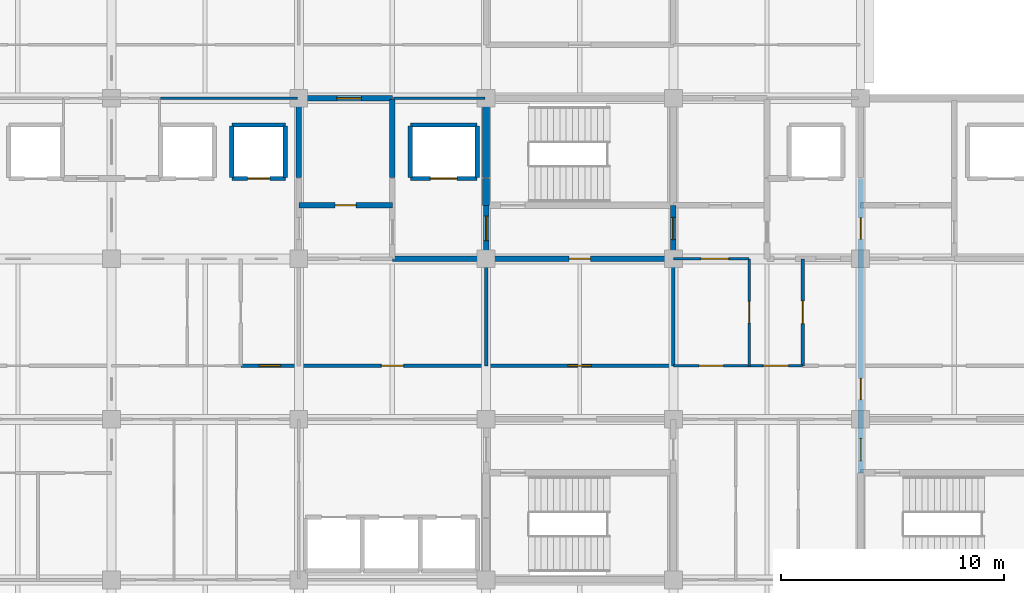
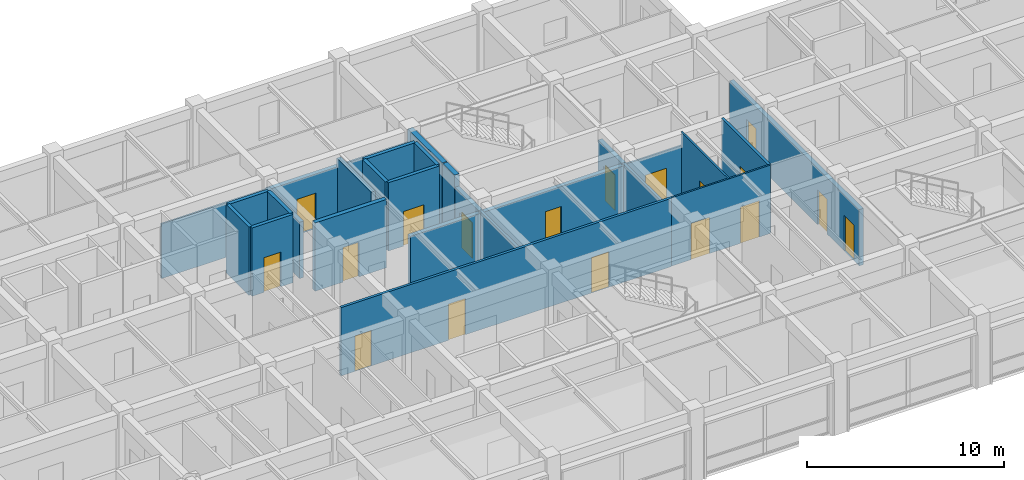
# One storey, part 23 of 30: 27 walls, 18 doors, 18 openings.
"""IFC4 building model written with IfcOpenShell, lengths in metres."""

from ifc_helpers import new_model, si_unit, direction, frame, frame_2d, origin, place, context, subcontext, project, spatial, rectangle, extrude, material, layer, layer_set, type_object, element, fill, save


model = new_model("IFC4")

# Units and contexts
model_context = context("Model", 3, precision=1e-05, world=origin(), true_north=direction((0.0, 1.0)))
body_context = subcontext(model_context, "Body", "Model", "MODEL_VIEW")
ifc_project = project(units=[si_unit("LENGTHUNIT", "METRE"), si_unit("AREAUNIT", "SQUARE_METRE"), si_unit("VOLUMEUNIT", "CUBIC_METRE"), si_unit("PLANEANGLEUNIT", "RADIAN"), si_unit("MASSUNIT", "GRAM", prefix="KILO")], contexts=[model_context])

# Site, building, storey
site_placement = place(None, origin())
site = spatial("IfcSite", under=ifc_project, at=site_placement, CompositionType="ELEMENT")
building_placement = place(site_placement, origin())
building = spatial("IfcBuilding", under=site, at=building_placement, Name="Chengyuan Square Courthouse", CompositionType="ELEMENT")
storey_placement = place(building_placement, frame((0.0, 0.0, 30.60009765625)))
storey = spatial("IfcBuildingStorey", under=building, at=storey_placement, Name="L07", CompositionType="ELEMENT", Elevation=30.60009765625)

# Wall, opening, door
ifc_material_1 = material(Name="Concrete C40", Category="concrete")
ifc_layer_1 = layer(ifc_material_1, 0.25)
ifc_layer_set_1 = layer_set([ifc_layer_1], Name="Concrete C40")
wall_type_1 = type_object("IfcWallType", Name="WL-FW1", PredefinedType="STANDARD", material=ifc_layer_set_1)
wall_1_placement = place(storey_placement, frame((96.60009765625, 100.800048828125, 0.0), z_axis=(0.0, 0.0, 1.0), x_axis=(1.0, 0.0, 0.0)))
wall_1 = element("IfcWall", 1, at=wall_1_placement, inside=storey, type_object=wall_type_1, Name="Interior Wall WL-L07-I2678", PredefinedType="STANDARD", context=body_context, shape_type="SweptSolid", body=[
    extrude(rectangle(XDim=12.599853515625, YDim=0.25, at=frame_2d((6.2998046875, 0.0))), origin(), (0.0, 0.0, 1.0), 3.389892578125),
])
opening_1_placement = place(wall_1_placement, frame((7.925048828125, 0.0, 0.0)))
opening_1 = element("IfcOpeningElement", 2, at=opening_1_placement, cuts=wall_1, Name="Opening DR-2314", PredefinedType="OPENING", context=body_context, shape_type="SweptSolid", body=[
    extrude(rectangle(XDim=0.949951171875, YDim=2.14990234375, at=frame_2d((0.47509765625, 1.074951171875))), frame((0.0, 0.136962890625, 0.0), z_axis=(0.0, -1.0, 0.0), x_axis=(1.0, 0.0, 0.0)), (0.0, 0.0, 1.0), 0.27392578125),
])
ifc_material_2 = material(Name="Steel Q235B Fire Door", Category="steel")
door_type_1 = type_object("IfcDoorType", Name="DT-12", OperationType="NOTDEFINED", PredefinedType="DOOR", material=ifc_material_2)
door_1_placement = place(opening_1_placement, origin())
door_1 = element("IfcDoor", 3, at=door_1_placement, inside=storey, type_object=door_type_1, Name="Interior Door DR-2314", OperationType="SINGLE_SWING_LEFT", OverallHeight=2.14990234375, OverallWidth=0.949951171875, PredefinedType="DOOR", context=body_context, shape_type="SweptSolid", body=[
    extrude(rectangle(XDim=0.949951171875, YDim=2.14990234375, at=frame_2d((0.47509765625, 1.074951171875))), frame((0.0, 0.02490234375, 0.0), z_axis=(0.0, -1.0, 0.0), x_axis=(1.0, 0.0, 0.0)), (0.0, 0.0, 1.0), 0.050048828125),
])
fill(opening_1, door_1)

wall_2_placement = place(storey_placement, frame((92.39990234375, 103.199951171875, 0.0), z_axis=(0.0, 0.0, 1.0), x_axis=(1.0, 0.0, 0.0)))
wall_2 = element("IfcWall", 4, at=wall_2_placement, inside=storey, type_object=wall_type_1, Name="Interior Wall WL-L07-I2691", PredefinedType="STANDARD", context=body_context, shape_type="SweptSolid", body=[
    extrude(rectangle(XDim=4.2001953125, YDim=0.25, at=frame_2d((2.10009765625, 0.0))), origin(), (0.0, 0.0, 1.0), 4.239990234375),
])
opening_2_placement = place(wall_2_placement, frame((1.625, 0.0, 0.0)))
opening_2 = element("IfcOpeningElement", 5, at=opening_2_placement, cuts=wall_2, Name="Opening DR-2332", PredefinedType="OPENING", context=body_context, shape_type="SweptSolid", body=[
    extrude(rectangle(XDim=0.949951171875, YDim=2.14990234375, at=frame_2d((0.47509765625, 1.074951171875))), frame((0.0, 0.136962890625, 0.0), z_axis=(0.0, -1.0, 0.0), x_axis=(1.0, 0.0, 0.0)), (0.0, 0.0, 1.0), 0.27392578125),
])
door_2_placement = place(opening_2_placement, origin())
door_2 = element("IfcDoor", 6, at=door_2_placement, inside=storey, type_object=door_type_1, Name="Interior Door DR-2332", OperationType="SINGLE_SWING_LEFT", OverallHeight=2.14990234375, OverallWidth=0.949951171875, PredefinedType="DOOR", context=body_context, shape_type="SweptSolid", body=[
    extrude(rectangle(XDim=0.949951171875, YDim=2.14990234375, at=frame_2d((0.47509765625, 1.074951171875))), frame((0.0, 0.02490234375, 0.0), z_axis=(0.0, -1.0, 0.0), x_axis=(1.0, 0.0, 0.0)), (0.0, 0.0, 1.0), 0.050048828125),
])
fill(opening_2, door_2)

wall_3_placement = place(storey_placement, frame((92.39990234375, 108.0, 0.0), z_axis=(0.0, 0.0, 1.0), x_axis=(1.0, 0.0, 0.0)))
wall_3 = element("IfcWall", 7, at=wall_3_placement, inside=storey, type_object=wall_type_1, Name="Interior Wall WL-L07-I2727", PredefinedType="STANDARD", context=body_context, shape_type="SweptSolid", body=[
    extrude(rectangle(XDim=4.2001953125, YDim=0.25, at=frame_2d((2.10009765625, 0.0))), origin(), (0.0, 0.0, 1.0), 3.389892578125),
])
opening_3_placement = place(wall_3_placement, frame((1.7099609375, 0.0, 0.0)))
opening_3 = element("IfcOpeningElement", 8, at=opening_3_placement, cuts=wall_3, Name="Opening DR-2336", PredefinedType="OPENING", context=body_context, shape_type="SweptSolid", body=[
    extrude(rectangle(XDim=1.10009765625, YDim=2.199951171875, at=frame_2d((0.550048828125, 1.10009765625))), frame((0.0, 0.136962890625, 0.0), z_axis=(0.0, -1.0, 0.0), x_axis=(1.0, 0.0, 0.0)), (0.0, 0.0, 1.0), 0.27392578125),
])
door_type_2 = type_object("IfcDoorType", Name="DT-10", OperationType="NOTDEFINED", PredefinedType="DOOR", material=ifc_material_2)
door_3_placement = place(opening_3_placement, origin())
door_3 = element("IfcDoor", 9, at=door_3_placement, inside=storey, type_object=door_type_2, Name="Interior Door DR-2336", OperationType="SINGLE_SWING_LEFT", OverallHeight=2.199951171875, OverallWidth=1.10009765625, PredefinedType="DOOR", context=body_context, shape_type="SweptSolid", body=[
    extrude(rectangle(XDim=1.10009765625, YDim=2.199951171875, at=frame_2d((0.550048828125, 1.10009765625))), frame((0.0, 0.02490234375, 0.0), z_axis=(0.0, -1.0, 0.0), x_axis=(1.0, 0.0, 0.0)), (0.0, 0.0, 1.0), 0.050048828125),
])
fill(opening_3, door_3)

# Walls
wall_4_placement = place(storey_placement, frame((92.39990234375, 104.449951171875, 0.0), z_axis=(0.0, 0.0, 1.0), x_axis=(0.0, 1.0, 0.0)))
element("IfcWall", 10, at=wall_4_placement, inside=storey, type_object=wall_type_1, Name="Interior Wall WL-L07-I2818", PredefinedType="STANDARD", context=body_context, shape_type="SweptSolid", body=[
    extrude(rectangle(XDim=3.5, YDim=0.25, at=frame_2d((1.75, 0.0))), origin(), (0.0, 0.0, 1.0), 3.489990234375),
])
wall_5_placement = place(storey_placement, frame((96.60009765625, 104.449951171875, 0.0), z_axis=(0.0, 0.0, 1.0), x_axis=(0.0, 1.0, 0.0)))
element("IfcWall", 11, at=wall_5_placement, inside=storey, type_object=wall_type_1, Name="Interior Wall WL-L07-I2823", PredefinedType="STANDARD", context=body_context, shape_type="SweptSolid", body=[
    extrude(rectangle(XDim=3.5, YDim=0.25, at=frame_2d((1.75, 0.0))), origin(), (0.0, 0.0, 1.0), 3.889892578125),
])

# Wall, opening, door
wall_6_placement = place(storey_placement, frame((100.800048828125, 100.800048828125, 0.0), z_axis=(0.0, 0.0, 1.0), x_axis=(0.0, 1.0, 0.0)))
wall_6 = element("IfcWall", 12, at=wall_6_placement, inside=storey, type_object=wall_type_1, Name="Interior Wall WL-L07-I2833", PredefinedType="STANDARD", context=body_context, shape_type="SweptSolid", body=[
    extrude(rectangle(XDim=2.39990234375, YDim=0.25, at=frame_2d((1.199951171875, 0.0))), origin(), (0.0, 0.0, 1.0), 3.489990234375),
])
opening_4_placement = place(wall_6_placement, frame((0.81005859375, 0.0, 0.0)))
opening_4 = element("IfcOpeningElement", 13, at=opening_4_placement, cuts=wall_6, Name="Opening DR-2312", PredefinedType="OPENING", context=body_context, shape_type="SweptSolid", body=[
    extrude(rectangle(XDim=1.10009765625, YDim=2.199951171875, at=frame_2d((0.550048828125, 1.10009765625))), frame((0.0, 0.136962890625, 0.0), z_axis=(0.0, -1.0, 0.0), x_axis=(1.0, 0.0, 0.0)), (0.0, 0.0, 1.0), 0.27392578125),
])
door_4_placement = place(opening_4_placement, origin())
door_4 = element("IfcDoor", 14, at=door_4_placement, inside=storey, type_object=door_type_2, Name="Interior Door DR-2312", OperationType="SINGLE_SWING_LEFT", OverallHeight=2.199951171875, OverallWidth=1.10009765625, PredefinedType="DOOR", context=body_context, shape_type="SweptSolid", body=[
    extrude(rectangle(XDim=1.10009765625, YDim=2.199951171875, at=frame_2d((0.550048828125, 1.10009765625))), frame((0.0, 0.02490234375, 0.0), z_axis=(0.0, -1.0, 0.0), x_axis=(1.0, 0.0, 0.0)), (0.0, 0.0, 1.0), 0.050048828125),
])
fill(opening_4, door_4)

wall_7_placement = place(storey_placement, frame((109.199951171875, 100.800048828125, 0.0), z_axis=(0.0, 0.0, 1.0), x_axis=(0.0, 1.0, 0.0)))
wall_7 = element("IfcWall", 15, at=wall_7_placement, inside=storey, type_object=wall_type_1, Name="Interior Wall WL-L07-I2841", PredefinedType="STANDARD", context=body_context, shape_type="SweptSolid", body=[
    extrude(rectangle(XDim=2.39990234375, YDim=0.25, at=frame_2d((1.199951171875, 0.0))), origin(), (0.0, 0.0, 1.0), 3.489990234375),
])
opening_5_placement = place(wall_7_placement, frame((0.860107421875, 0.0, 0.0)))
opening_5 = element("IfcOpeningElement", 16, at=opening_5_placement, cuts=wall_7, Name="Opening DR-2313", PredefinedType="OPENING", context=body_context, shape_type="SweptSolid", body=[
    extrude(rectangle(XDim=1.0, YDim=2.199951171875, at=frame_2d((0.5, 1.10009765625))), frame((0.0, 0.136962890625, 0.0), z_axis=(0.0, -1.0, 0.0), x_axis=(1.0, 0.0, 0.0)), (0.0, 0.0, 1.0), 0.27392578125),
])
door_type_3 = type_object("IfcDoorType", Name="DT-11", OperationType="NOTDEFINED", PredefinedType="DOOR", material=ifc_material_2)
door_5_placement = place(opening_5_placement, origin())
door_5 = element("IfcDoor", 17, at=door_5_placement, inside=storey, type_object=door_type_3, Name="Interior Door DR-2313", OperationType="SINGLE_SWING_RIGHT", OverallHeight=2.199951171875, OverallWidth=1.0, PredefinedType="DOOR", context=body_context, shape_type="SweptSolid", body=[
    extrude(rectangle(XDim=1.0, YDim=2.199951171875, at=frame_2d((0.5, 1.10009765625))), frame((0.0, 0.02490234375, 0.0), z_axis=(0.0, -1.0, 0.0), x_axis=(1.0, 0.0, 0.0)), (0.0, 0.0, 1.0), 0.050048828125),
])
fill(opening_5, door_5)

# Wall, openings, doors
wall_8_placement = place(storey_placement, frame((117.60009765625, 91.199951171875, 0.0), z_axis=(0.0, 0.0, 1.0), x_axis=(0.0, 1.0, 0.0)))
wall_8 = element("IfcWall", 18, at=wall_8_placement, inside=storey, type_object=wall_type_1, Name="Interior Wall WL-L07-I2854", PredefinedType="STANDARD", context=body_context, shape_type="SweptSolid", body=[
    extrude(rectangle(XDim=13.199951171875, YDim=0.25, at=frame_2d((6.60009765625, 0.0))), origin(), (0.0, 0.0, 1.0), 3.489990234375),
])
opening_6_placement = place(wall_8_placement, frame((0.5400390625, 0.0, 0.0)))
opening_6 = element("IfcOpeningElement", 19, at=opening_6_placement, cuts=wall_8, Name="Opening DR-2325", PredefinedType="OPENING", context=body_context, shape_type="SweptSolid", body=[
    extrude(rectangle(XDim=1.0, YDim=2.199951171875, at=frame_2d((0.5, 1.10009765625))), frame((0.0, 0.136962890625, 0.0), z_axis=(0.0, -1.0, 0.0), x_axis=(1.0, 0.0, 0.0)), (0.0, 0.0, 1.0), 0.27392578125),
])
opening_7_placement = place(wall_8_placement, frame((10.485107421875, 0.0, 0.0)))
opening_7 = element("IfcOpeningElement", 20, at=opening_7_placement, cuts=wall_8, Name="Opening DR-2344", PredefinedType="OPENING", context=body_context, shape_type="SweptSolid", body=[
    extrude(rectangle(XDim=0.949951171875, YDim=2.14990234375, at=frame_2d((0.47509765625, 1.074951171875))), frame((0.0, 0.136962890625, 0.0), z_axis=(0.0, -1.0, 0.0), x_axis=(1.0, 0.0, 0.0)), (0.0, 0.0, 1.0), 0.27392578125),
])
opening_8_placement = place(wall_8_placement, frame((3.284912109375, 0.0, 0.0)))
opening_8 = element("IfcOpeningElement", 21, at=opening_8_placement, cuts=wall_8, Name="Opening DR-2407", PredefinedType="OPENING", context=body_context, shape_type="SweptSolid", body=[
    extrude(rectangle(XDim=0.949951171875, YDim=2.14990234375, at=frame_2d((0.47509765625, 1.074951171875))), frame((0.0, 0.136962890625, 0.0), z_axis=(0.0, -1.0, 0.0), x_axis=(1.0, 0.0, 0.0)), (0.0, 0.0, 1.0), 0.27392578125),
])
door_6_placement = place(opening_6_placement, origin())
door_6 = element("IfcDoor", 22, at=door_6_placement, inside=storey, type_object=door_type_3, Name="Interior Door DR-2325", OperationType="SINGLE_SWING_RIGHT", OverallHeight=2.199951171875, OverallWidth=1.0, PredefinedType="DOOR", context=body_context, shape_type="SweptSolid", body=[
    extrude(rectangle(XDim=1.0, YDim=2.199951171875, at=frame_2d((0.5, 1.10009765625))), frame((0.0, 0.02490234375, 0.0), z_axis=(0.0, -1.0, 0.0), x_axis=(1.0, 0.0, 0.0)), (0.0, 0.0, 1.0), 0.050048828125),
])
fill(opening_6, door_6)
door_7_placement = place(opening_7_placement, origin())
door_7 = element("IfcDoor", 23, at=door_7_placement, inside=storey, type_object=door_type_1, Name="Interior Door DR-2344", OperationType="SINGLE_SWING_LEFT", OverallHeight=2.14990234375, OverallWidth=0.949951171875, PredefinedType="DOOR", context=body_context, shape_type="SweptSolid", body=[
    extrude(rectangle(XDim=0.949951171875, YDim=2.14990234375, at=frame_2d((0.47509765625, 1.074951171875))), frame((0.0, 0.02490234375, 0.0), z_axis=(0.0, -1.0, 0.0), x_axis=(1.0, 0.0, 0.0)), (0.0, 0.0, 1.0), 0.050048828125),
])
fill(opening_7, door_7)
door_8_placement = place(opening_8_placement, origin())
door_8 = element("IfcDoor", 24, at=door_8_placement, inside=storey, type_object=door_type_1, Name="Interior Door DR-2407", OperationType="SINGLE_SWING_LEFT", OverallHeight=2.14990234375, OverallWidth=0.949951171875, PredefinedType="DOOR", context=body_context, shape_type="SweptSolid", body=[
    extrude(rectangle(XDim=0.949951171875, YDim=2.14990234375, at=frame_2d((0.47509765625, 1.074951171875))), frame((0.0, 0.02490234375, 0.0), z_axis=(0.0, -1.0, 0.0), x_axis=(1.0, 0.0, 0.0)), (0.0, 0.0, 1.0), 0.050048828125),
])
fill(opening_8, door_8)

ifc_material_3 = material(Name="Deliberation Room Sound-Insulated Partition")
ifc_layer_2 = layer(ifc_material_3, 0.14990234375)
ifc_layer_set_2 = layer_set([ifc_layer_2], Name="Deliberation Room Sound-Insulated Partition")
wall_type_2 = type_object("IfcWallType", Name="WL-PT3", PredefinedType="STANDARD", material=ifc_layer_set_2)
wall_9_placement = place(storey_placement, frame((89.800048828125, 96.0, 0.0), z_axis=(0.0, 0.0, 1.0), x_axis=(1.0, 0.0, 0.0)))
wall_9 = element("IfcWall", 25, at=wall_9_placement, inside=storey, type_object=wall_type_2, Name="Interior Wall WL-L07-I2662", PredefinedType="STANDARD", context=body_context, shape_type="SweptSolid", body=[
    extrude(rectangle(XDim=19.39990234375, YDim=0.14990234375, at=frame_2d((9.699951171875, 0.0))), origin(), (0.0, 0.0, 1.0), 4.239990234375),
])
opening_9_placement = place(wall_9_placement, frame((0.820068359375, 0.0, 0.0)))
opening_9 = element("IfcOpeningElement", 26, at=opening_9_placement, cuts=wall_9, Name="Opening DR-2410", PredefinedType="OPENING", context=body_context, shape_type="SweptSolid", body=[
    extrude(rectangle(XDim=0.9599609375, YDim=2.199951171875, at=frame_2d((0.47998046875, 1.10009765625))), frame((0.0, 0.0869140625, 0.0), z_axis=(0.0, -1.0, 0.0), x_axis=(1.0, 0.0, 0.0)), (0.0, 0.0, 1.0), 0.173828125),
])
opening_10_placement = place(wall_9_placement, frame((6.300048828125, 0.0, 0.0)))
opening_10 = element("IfcOpeningElement", 27, at=opening_10_placement, cuts=wall_9, Name="Opening DR-2411", PredefinedType="OPENING", context=body_context, shape_type="SweptSolid", body=[
    extrude(rectangle(XDim=1.0, YDim=2.25, at=frame_2d((0.5, 1.125))), frame((0.0, 0.0869140625, 0.0), z_axis=(0.0, -1.0, 0.0), x_axis=(1.0, 0.0, 0.0)), (0.0, 0.0, 1.0), 0.173828125),
])
opening_11_placement = place(wall_9_placement, frame((14.679931640625, 0.0, 0.0)))
opening_11 = element("IfcOpeningElement", 28, at=opening_11_placement, cuts=wall_9, Name="Opening DR-2412", PredefinedType="OPENING", context=body_context, shape_type="SweptSolid", body=[
    extrude(rectangle(XDim=1.0400390625, YDim=2.199951171875, at=frame_2d((0.52001953125, 1.10009765625))), frame((0.0, 0.0869140625, 0.0), z_axis=(0.0, -1.0, 0.0), x_axis=(1.0, 0.0, 0.0)), (0.0, 0.0, 1.0), 0.173828125),
])
ifc_material_4 = material(Name="Acoustic Solid-Core Timber Door", Category="wood")
door_type_4 = type_object("IfcDoorType", Name="DT-30", OperationType="NOTDEFINED", PredefinedType="DOOR", material=ifc_material_4)
door_9_placement = place(opening_9_placement, origin())
door_9 = element("IfcDoor", 29, at=door_9_placement, inside=storey, type_object=door_type_4, Name="Interior Door DR-2410", OperationType="SINGLE_SWING_RIGHT", OverallHeight=2.199951171875, OverallWidth=0.9599609375, PredefinedType="DOOR", context=body_context, shape_type="SweptSolid", body=[
    extrude(rectangle(XDim=0.9599609375, YDim=2.199951171875, at=frame_2d((0.47998046875, 1.10009765625))), frame((0.0, 0.02490234375, 0.0), z_axis=(0.0, -1.0, 0.0), x_axis=(1.0, 0.0, 0.0)), (0.0, 0.0, 1.0), 0.050048828125),
])
fill(opening_9, door_9)
door_type_5 = type_object("IfcDoorType", Name="DT-31", OperationType="NOTDEFINED", PredefinedType="DOOR", material=ifc_material_4)
door_10_placement = place(opening_10_placement, origin())
door_10 = element("IfcDoor", 30, at=door_10_placement, inside=storey, type_object=door_type_5, Name="Interior Door DR-2411", OperationType="SINGLE_SWING_LEFT", OverallHeight=2.25, OverallWidth=1.0, PredefinedType="DOOR", context=body_context, shape_type="SweptSolid", body=[
    extrude(rectangle(XDim=1.0, YDim=2.25, at=frame_2d((0.5, 1.125))), frame((0.0, 0.02490234375, 0.0), z_axis=(0.0, -1.0, 0.0), x_axis=(1.0, 0.0, 0.0)), (0.0, 0.0, 1.0), 0.050048828125),
])
fill(opening_10, door_10)
door_type_6 = type_object("IfcDoorType", Name="DT-32", OperationType="NOTDEFINED", PredefinedType="DOOR", material=ifc_material_4)
door_11_placement = place(opening_11_placement, origin())
door_11 = element("IfcDoor", 31, at=door_11_placement, inside=storey, type_object=door_type_6, Name="Interior Door DR-2412", OperationType="SINGLE_SWING_RIGHT", OverallHeight=2.199951171875, OverallWidth=1.0400390625, PredefinedType="DOOR", context=body_context, shape_type="SweptSolid", body=[
    extrude(rectangle(XDim=1.0400390625, YDim=2.199951171875, at=frame_2d((0.52001953125, 1.10009765625))), frame((0.0, 0.02490234375, 0.0), z_axis=(0.0, -1.0, 0.0), x_axis=(1.0, 0.0, 0.0)), (0.0, 0.0, 1.0), 0.050048828125),
])
fill(opening_11, door_11)

# Walls
for number, where, z_axis, x_axis, name in (
    (32, (100.800048828125, 96.0, 0.0), (0.0, 0.0, 1.0), (0.0, 1.0, 0.0), "Interior Wall WL-L07-I2832"),
    (33, (109.199951171875, 96.0, 0.0), (0.0, 0.0, 1.0), (0.0, 1.0, 0.0), "Interior Wall WL-L07-I2840"),
):
    element("IfcWall", number, at=place(storey_placement, frame(where, z_axis=z_axis, x_axis=x_axis)), inside=storey, type_object=wall_type_2, Name=name, PredefinedType="STANDARD", context=body_context, shape_type="SweptSolid", body=[
        extrude(rectangle(XDim=4.800048828125, YDim=0.14990234375, at=frame_2d((2.39990234375, 0.0))), origin(), (0.0, 0.0, 1.0), 3.489990234375),
    ])

# Wall, opening, door
wall_10_placement = place(storey_placement, frame((115.0, 96.0, 0.0), z_axis=(0.0, 0.0, 1.0), x_axis=(0.0, 1.0, 0.0)))
wall_10 = element("IfcWall", 34, at=wall_10_placement, inside=storey, type_object=wall_type_2, Name="Interior Wall WL-L07-I2850", PredefinedType="STANDARD", context=body_context, shape_type="SweptSolid", body=[
    extrude(rectangle(XDim=4.800048828125, YDim=0.14990234375, at=frame_2d((2.39990234375, 0.0))), origin(), (0.0, 0.0, 1.0), 4.239990234375),
])
opening_12_placement = place(wall_10_placement, frame((1.889892578125, 0.0, 0.0)))
opening_12 = element("IfcOpeningElement", 35, at=opening_12_placement, cuts=wall_10, Name="Opening DR-2438", PredefinedType="OPENING", context=body_context, shape_type="SweptSolid", body=[
    extrude(rectangle(XDim=1.02001953125, YDim=2.39990234375, at=frame_2d((0.510009765625, 1.199951171875))), frame((0.0, 0.0869140625, 0.0), z_axis=(0.0, -1.0, 0.0), x_axis=(1.0, 0.0, 0.0)), (0.0, 0.0, 1.0), 0.173828125),
])
door_type_7 = type_object("IfcDoorType", Name="DT-41", OperationType="NOTDEFINED", PredefinedType="DOOR", material=ifc_material_4)
door_12_placement = place(opening_12_placement, origin())
door_12 = element("IfcDoor", 36, at=door_12_placement, inside=storey, type_object=door_type_7, Name="Interior Door DR-2438", OperationType="SINGLE_SWING_LEFT", OverallHeight=2.39990234375, OverallWidth=1.02001953125, PredefinedType="DOOR", context=body_context, shape_type="SweptSolid", body=[
    extrude(rectangle(XDim=1.02001953125, YDim=2.39990234375, at=frame_2d((0.510009765625, 1.199951171875))), frame((0.0, 0.02490234375, 0.0), z_axis=(0.0, -1.0, 0.0), x_axis=(1.0, 0.0, 0.0)), (0.0, 0.0, 1.0), 0.050048828125),
])
fill(opening_12, door_12)

# Wall, openings, doors
ifc_material_5 = material(Name="Gypsum Plasterboard Acoustic Stud Partition")
ifc_layer_3 = layer(ifc_material_5, 0.10009765625)
ifc_layer_set_3 = layer_set([ifc_layer_3], Name="Gypsum Plasterboard Acoustic Stud Partition")
wall_type_3 = type_object("IfcWallType", Name="WL-PT6", PredefinedType="STANDARD", material=ifc_layer_set_3)
wall_11_placement = place(storey_placement, frame((109.199951171875, 96.0, 0.0), z_axis=(0.0, 0.0, 1.0), x_axis=(1.0, 0.0, 0.0)))
wall_11 = element("IfcWall", 37, at=wall_11_placement, inside=storey, type_object=wall_type_3, Name="Interior Wall WL-L07-I2663", PredefinedType="STANDARD", context=body_context, shape_type="SweptSolid", body=[
    extrude(rectangle(XDim=5.800048828125, YDim=0.10009765625, at=frame_2d((2.89990234375, 0.0))), origin(), (0.0, 0.0, 1.0), 4.239990234375),
])
opening_13_placement = place(wall_11_placement, frame((1.159912109375, 0.0, 0.0)))
opening_13 = element("IfcOpeningElement", 38, at=opening_13_placement, cuts=wall_11, Name="Opening DR-2413", PredefinedType="OPENING", context=body_context, shape_type="SweptSolid", body=[
    extrude(rectangle(XDim=1.080078125, YDim=2.25, at=frame_2d((0.5400390625, 1.125))), frame((0.0, 0.06201171875, 0.0), z_axis=(0.0, -1.0, 0.0), x_axis=(1.0, 0.0, 0.0)), (0.0, 0.0, 1.0), 0.1240234375),
])
opening_14_placement = place(wall_11_placement, frame((4.0400390625, 0.0, 0.0)))
opening_14 = element("IfcOpeningElement", 39, at=opening_14_placement, cuts=wall_11, Name="Opening DR-2414", PredefinedType="OPENING", context=body_context, shape_type="SweptSolid", body=[
    extrude(rectangle(XDim=1.1201171875, YDim=2.25, at=frame_2d((0.56005859375, 1.125))), frame((0.0, 0.06201171875, 0.0), z_axis=(0.0, -1.0, 0.0), x_axis=(1.0, 0.0, 0.0)), (0.0, 0.0, 1.0), 0.1240234375),
])
door_type_8 = type_object("IfcDoorType", Name="DT-33", OperationType="NOTDEFINED", PredefinedType="DOOR", material=ifc_material_4)
door_13_placement = place(opening_13_placement, origin())
door_13 = element("IfcDoor", 40, at=door_13_placement, inside=storey, type_object=door_type_8, Name="Interior Door DR-2413", OperationType="SINGLE_SWING_LEFT", OverallHeight=2.25, OverallWidth=1.080078125, PredefinedType="DOOR", context=body_context, shape_type="SweptSolid", body=[
    extrude(rectangle(XDim=1.080078125, YDim=2.25, at=frame_2d((0.5400390625, 1.125))), frame((0.0, 0.02490234375, 0.0), z_axis=(0.0, -1.0, 0.0), x_axis=(1.0, 0.0, 0.0)), (0.0, 0.0, 1.0), 0.050048828125),
])
fill(opening_13, door_13)
door_type_9 = type_object("IfcDoorType", Name="DT-34", OperationType="NOTDEFINED", PredefinedType="DOOR", material=ifc_material_4)
door_14_placement = place(opening_14_placement, origin())
door_14 = element("IfcDoor", 41, at=door_14_placement, inside=storey, type_object=door_type_9, Name="Interior Door DR-2414", OperationType="SINGLE_SWING_RIGHT", OverallHeight=2.25, OverallWidth=1.1201171875, PredefinedType="DOOR", context=body_context, shape_type="SweptSolid", body=[
    extrude(rectangle(XDim=1.1201171875, YDim=2.25, at=frame_2d((0.56005859375, 1.125))), frame((0.0, 0.02490234375, 0.0), z_axis=(0.0, -1.0, 0.0), x_axis=(1.0, 0.0, 0.0)), (0.0, 0.0, 1.0), 0.050048828125),
])
fill(opening_14, door_14)

# Wall, opening, door
wall_12_placement = place(storey_placement, frame((109.199951171875, 100.800048828125, 0.0), z_axis=(0.0, 0.0, 1.0), x_axis=(1.0, 0.0, 0.0)))
wall_12 = element("IfcWall", 42, at=wall_12_placement, inside=storey, type_object=wall_type_3, Name="Interior Wall WL-L07-I2679", PredefinedType="STANDARD", context=body_context, shape_type="SweptSolid", body=[
    extrude(rectangle(XDim=3.400146484375, YDim=0.10009765625, at=frame_2d((1.7001953125, 0.0))), origin(), (0.0, 0.0, 1.0), 3.389892578125),
])
opening_15_placement = place(wall_12_placement, frame((1.239990234375, 0.0, 0.0)))
opening_15 = element("IfcOpeningElement", 43, at=opening_15_placement, cuts=wall_12, Name="Opening DR-2366", PredefinedType="OPENING", context=body_context, shape_type="SweptSolid", body=[
    extrude(rectangle(XDim=1.239990234375, YDim=2.300048828125, at=frame_2d((0.6201171875, 1.14990234375))), frame((0.0, 0.06201171875, 0.0), z_axis=(0.0, -1.0, 0.0), x_axis=(1.0, 0.0, 0.0)), (0.0, 0.0, 1.0), 0.1240234375),
])
door_type_10 = type_object("IfcDoorType", Name="DT-37", OperationType="NOTDEFINED", PredefinedType="DOOR", material=ifc_material_4)
door_15_placement = place(opening_15_placement, origin())
door_15 = element("IfcDoor", 44, at=door_15_placement, inside=storey, type_object=door_type_10, Name="Interior Door DR-2366", OperationType="SINGLE_SWING_RIGHT", OverallHeight=2.300048828125, OverallWidth=1.239990234375, PredefinedType="DOOR", context=body_context, shape_type="SweptSolid", body=[
    extrude(rectangle(XDim=1.239990234375, YDim=2.300048828125, at=frame_2d((0.6201171875, 1.14990234375))), frame((0.0, 0.02490234375, 0.0), z_axis=(0.0, -1.0, 0.0), x_axis=(1.0, 0.0, 0.0)), (0.0, 0.0, 1.0), 0.050048828125),
])
fill(opening_15, door_15)

# Walls
wall_13_placement = place(storey_placement, frame((86.199951171875, 108.0, 0.0), z_axis=(0.0, 0.0, 1.0), x_axis=(1.0, 0.0, 0.0)))
element("IfcWall", 45, at=wall_13_placement, inside=storey, type_object=wall_type_3, Name="Interior Wall WL-L07-I2726", PredefinedType="STANDARD", context=body_context, shape_type="SweptSolid", body=[
    extrude(rectangle(XDim=6.150146484375, YDim=0.10009765625, at=frame_2d((3.0751953125, 0.0))), origin(), (0.0, 0.0, 1.0), 3.389892578125),
])
wall_14_placement = place(storey_placement, frame((96.64990234375, 108.0, 0.0), z_axis=(0.0, 0.0, 1.0), x_axis=(1.0, 0.0, 0.0)))
element("IfcWall", 46, at=wall_14_placement, inside=storey, type_object=wall_type_3, Name="Interior Wall WL-L07-I2728", PredefinedType="STANDARD", context=body_context, shape_type="SweptSolid", body=[
    extrude(rectangle(XDim=4.10009765625, YDim=0.10009765625, at=frame_2d((2.050048828125, 0.0))), origin(), (0.0, 0.0, 1.0), 3.389892578125),
])

# Wall, opening, door
wall_15_placement = place(storey_placement, frame((112.60009765625, 96.0, 0.0), z_axis=(0.0, 0.0, 1.0), x_axis=(0.0, 1.0, 0.0)))
wall_15 = element("IfcWall", 47, at=wall_15_placement, inside=storey, type_object=wall_type_3, Name="Interior Wall WL-L07-I2845", PredefinedType="STANDARD", context=body_context, shape_type="SweptSolid", body=[
    extrude(rectangle(XDim=4.800048828125, YDim=0.10009765625, at=frame_2d((2.39990234375, 0.0))), origin(), (0.0, 0.0, 1.0), 4.239990234375),
])
opening_16_placement = place(wall_15_placement, frame((1.909912109375, 0.0, 0.0)))
opening_16 = element("IfcOpeningElement", 48, at=opening_16_placement, cuts=wall_15, Name="Opening DR-2437", PredefinedType="OPENING", context=body_context, shape_type="SweptSolid", body=[
    extrude(rectangle(XDim=0.97998046875, YDim=2.35009765625, at=frame_2d((0.489990234375, 1.175048828125))), frame((0.0, 0.06201171875, 0.0), z_axis=(0.0, -1.0, 0.0), x_axis=(1.0, 0.0, 0.0)), (0.0, 0.0, 1.0), 0.1240234375),
])
door_type_11 = type_object("IfcDoorType", Name="DT-40", OperationType="NOTDEFINED", PredefinedType="DOOR", material=ifc_material_4)
door_16_placement = place(opening_16_placement, origin())
door_16 = element("IfcDoor", 49, at=door_16_placement, inside=storey, type_object=door_type_11, Name="Interior Door DR-2437", OperationType="SINGLE_SWING_RIGHT", OverallHeight=2.35009765625, OverallWidth=0.97998046875, PredefinedType="DOOR", context=body_context, shape_type="SweptSolid", body=[
    extrude(rectangle(XDim=0.97998046875, YDim=2.35009765625, at=frame_2d((0.489990234375, 1.175048828125))), frame((0.0, 0.02490234375, 0.0), z_axis=(0.0, -1.0, 0.0), x_axis=(1.0, 0.0, 0.0)), (0.0, 0.0, 1.0), 0.050048828125),
])
fill(opening_16, door_16)

ifc_material_6 = material(Name="Reinforced Masonry Shaft Enclosure", Category="masonry")
ifc_layer_4 = layer(ifc_material_6, 0.199951171875)
ifc_layer_set_4 = layer_set([ifc_layer_4], Name="Reinforced Masonry Shaft Enclosure")
wall_type_4 = type_object("IfcWallType", Name="WL-SH1", PredefinedType="STANDARD", material=ifc_layer_set_4)
wall_16_placement = place(storey_placement, frame((89.39990234375, 104.39990234375, 0.0), z_axis=(0.0, 0.0, 1.0), x_axis=(1.0, 0.0, 0.0)))
wall_16 = element("IfcWall", 50, at=wall_16_placement, inside=storey, type_object=wall_type_4, Name="Interior Wall WL-L07-I2704", PredefinedType="STANDARD", context=body_context, shape_type="SweptSolid", body=[
    extrude(rectangle(XDim=2.400146484375, YDim=0.199951171875, at=frame_2d((1.2001953125, 0.0))), origin(), (0.0, 0.0, 1.0), 4.239990234375),
])
opening_17_placement = place(wall_16_placement, frame((0.699951171875, 0.0, 0.0)))
opening_17 = element("IfcOpeningElement", 51, at=opening_17_placement, cuts=wall_16, Name="Opening LD-124", PredefinedType="OPENING", context=body_context, shape_type="SweptSolid", body=[
    extrude(rectangle(XDim=1.0, YDim=2.14990234375, at=frame_2d((0.5, 1.074951171875))), frame((0.0, 0.112060546875, 0.0), z_axis=(0.0, -1.0, 0.0), x_axis=(1.0, 0.0, 0.0)), (0.0, 0.0, 1.0), 0.223876953125),
])
ifc_material_7 = material(Name="Stainless Steel S30408 Lift Landing Door", Category="steel")
door_type_12 = type_object("IfcDoorType", Name="DT-07", OperationType="DOUBLE_DOOR_SLIDING", PredefinedType="DOOR", material=ifc_material_7)
door_17_placement = place(opening_17_placement, origin())
door_17 = element("IfcDoor", 52, at=door_17_placement, inside=storey, type_object=door_type_12, Name="Lift Landing Door LF-J4 L07", OperationType="DOUBLE_DOOR_SLIDING", OverallHeight=2.14990234375, OverallWidth=1.0, PredefinedType="DOOR", context=body_context, shape_type="SweptSolid", body=[
    extrude(rectangle(XDim=1.0, YDim=2.14990234375, at=frame_2d((0.5, 1.074951171875))), frame((0.0, 0.02490234375, 0.0), z_axis=(0.0, -1.0, 0.0), x_axis=(1.0, 0.0, 0.0)), (0.0, 0.0, 1.0), 0.050048828125),
])
fill(opening_17, door_17)

wall_17_placement = place(storey_placement, frame((97.39990234375, 104.39990234375, 0.0), z_axis=(0.0, 0.0, 1.0), x_axis=(1.0, 0.0, 0.0)))
wall_17 = element("IfcWall", 53, at=wall_17_placement, inside=storey, type_object=wall_type_4, Name="Interior Wall WL-L07-I2705", PredefinedType="STANDARD", context=body_context, shape_type="SweptSolid", body=[
    extrude(rectangle(XDim=3.0, YDim=0.199951171875, at=frame_2d((1.5, 0.0))), origin(), (0.0, 0.0, 1.0), 4.239990234375),
])
opening_18_placement = place(wall_17_placement, frame((0.89990234375, 0.0, 0.0)))
opening_18 = element("IfcOpeningElement", 54, at=opening_18_placement, cuts=wall_17, Name="Opening LD-118", PredefinedType="OPENING", context=body_context, shape_type="SweptSolid", body=[
    extrude(rectangle(XDim=1.199951171875, YDim=2.14990234375, at=frame_2d((0.60009765625, 1.074951171875))), frame((0.0, 0.112060546875, 0.0), z_axis=(0.0, -1.0, 0.0), x_axis=(1.0, 0.0, 0.0)), (0.0, 0.0, 1.0), 0.223876953125),
])
door_type_13 = type_object("IfcDoorType", Name="DT-05", OperationType="DOUBLE_DOOR_SLIDING", PredefinedType="DOOR", material=ifc_material_7)
door_18_placement = place(opening_18_placement, origin())
door_18 = element("IfcDoor", 55, at=door_18_placement, inside=storey, type_object=door_type_13, Name="Lift Landing Door LF-F2 L07", OperationType="DOUBLE_DOOR_SLIDING", OverallHeight=2.14990234375, OverallWidth=1.199951171875, PredefinedType="DOOR", context=body_context, shape_type="SweptSolid", body=[
    extrude(rectangle(XDim=1.199951171875, YDim=2.14990234375, at=frame_2d((0.60009765625, 1.074951171875))), frame((0.0, 0.02490234375, 0.0), z_axis=(0.0, -1.0, 0.0), x_axis=(1.0, 0.0, 0.0)), (0.0, 0.0, 1.0), 0.050048828125),
])
fill(opening_18, door_18)

# Walls
wall_18_placement = place(storey_placement, frame((89.39990234375, 106.800048828125, 0.0), z_axis=(0.0, 0.0, 1.0), x_axis=(1.0, 0.0, 0.0)))
element("IfcWall", 56, at=wall_18_placement, inside=storey, type_object=wall_type_4, Name="Interior Wall WL-L07-I2715", PredefinedType="STANDARD", context=body_context, shape_type="SweptSolid", body=[
    extrude(rectangle(XDim=2.400146484375, YDim=0.199951171875, at=frame_2d((1.2001953125, 0.0))), origin(), (0.0, 0.0, 1.0), 4.239990234375),
])
wall_19_placement = place(storey_placement, frame((97.39990234375, 106.800048828125, 0.0), z_axis=(0.0, 0.0, 1.0), x_axis=(1.0, 0.0, 0.0)))
element("IfcWall", 57, at=wall_19_placement, inside=storey, type_object=wall_type_4, Name="Interior Wall WL-L07-I2716", PredefinedType="STANDARD", context=body_context, shape_type="SweptSolid", body=[
    extrude(rectangle(XDim=3.0, YDim=0.199951171875, at=frame_2d((1.5, 0.0))), origin(), (0.0, 0.0, 1.0), 4.239990234375),
])
for number, where, z_axis, x_axis, name in (
    (58, (89.39990234375, 104.449951171875, 0.0), (0.0, 0.0, 1.0), (0.0, 1.0, 0.0), "Interior Wall WL-L07-I2810"),
    (59, (91.800048828125, 104.449951171875, 0.0), (0.0, 0.0, 1.0), (0.0, 1.0, 0.0), "Interior Wall WL-L07-I2813"),
    (60, (97.39990234375, 104.449951171875, 0.0), (0.0, 0.0, 1.0), (0.0, 1.0, 0.0), "Interior Wall WL-L07-I2824"),
    (61, (100.39990234375, 104.449951171875, 0.0), (0.0, 0.0, 1.0), (0.0, 1.0, 0.0), "Interior Wall WL-L07-I2827"),
):
    element("IfcWall", number, at=place(storey_placement, frame(where, z_axis=z_axis, x_axis=x_axis)), inside=storey, type_object=wall_type_4, Name=name, PredefinedType="STANDARD", context=body_context, shape_type="SweptSolid", body=[
        extrude(rectangle(XDim=2.300048828125, YDim=0.199951171875, at=frame_2d((1.14990234375, 0.0))), origin(), (0.0, 0.0, 1.0), 4.239990234375),
    ])
ifc_layer_5 = layer(ifc_material_1, 0.300048828125)
ifc_layer_set_5 = layer_set([ifc_layer_5], Name="Concrete C40")
wall_type_5 = type_object("IfcWallType", Name="WL-SW2", PredefinedType="SHEAR", material=ifc_layer_set_5)
wall_20_placement = place(storey_placement, frame((100.800048828125, 103.199951171875, 0.0), z_axis=(0.0, 0.0, 1.0), x_axis=(0.0, 1.0, 0.0)))
element("IfcWall", 62, at=wall_20_placement, inside=storey, type_object=wall_type_5, Name="Interior Wall WL-L07-I2834", PredefinedType="SHEAR", context=body_context, shape_type="SweptSolid", body=[
    extrude(rectangle(XDim=1.199951171875, YDim=0.300048828125, at=frame_2d((0.60009765625, 0.0))), origin(), (0.0, 0.0, 1.0), 4.239990234375),
])
wall_21_placement = place(storey_placement, frame((100.800048828125, 104.449951171875, 0.0), z_axis=(0.0, 0.0, 1.0), x_axis=(0.0, 1.0, 0.0)))
element("IfcWall", 63, at=wall_21_placement, inside=storey, type_object=wall_type_5, Name="Interior Wall WL-L07-I2835", PredefinedType="SHEAR", context=body_context, shape_type="SweptSolid", body=[
    extrude(rectangle(XDim=3.5, YDim=0.300048828125, at=frame_2d((1.75, 0.0))), origin(), (0.0, 0.0, 1.0), 4.239990234375),
])

save(model, "model.ifc")
